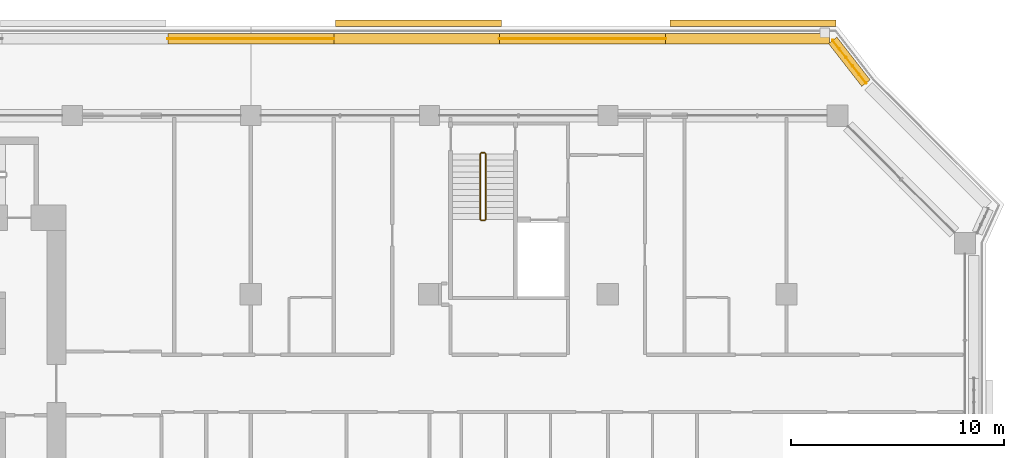
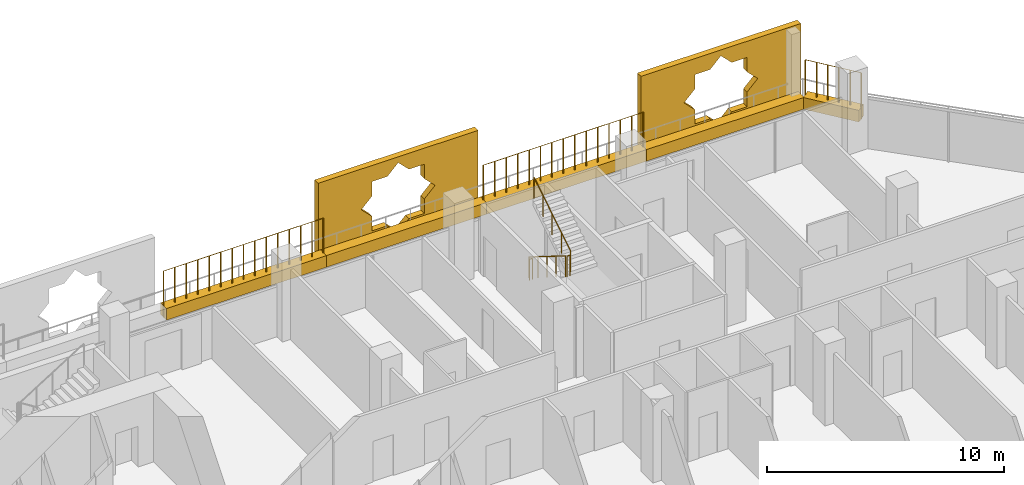
# One storey, part 22 of 23: 7 coverings, 7 railings.
"""IFC4 building model written with IfcOpenShell, lengths in metres."""

from ifc_helpers import new_model, si_unit, direction, frame, origin, origin_2d, place, context, subcontext, project, spatial, polyline, rectangle, circle, outline, extrude, material, material_profile, profile_set, type_object, element, save


model = new_model("IFC4")

# Units and contexts
model_context = context("Model", 3, precision=1e-05, world=origin(), true_north=direction((0.0, 1.0)))
body_context = subcontext(model_context, "Body", "Model", "MODEL_VIEW")
ifc_project = project(units=[si_unit("LENGTHUNIT", "METRE"), si_unit("AREAUNIT", "SQUARE_METRE"), si_unit("VOLUMEUNIT", "CUBIC_METRE"), si_unit("PLANEANGLEUNIT", "RADIAN"), si_unit("MASSUNIT", "GRAM", prefix="KILO")], contexts=[model_context])

# Site, building, storey
site_placement = place(None, origin())
site = spatial("IfcSite", under=ifc_project, at=site_placement, CompositionType="ELEMENT")
building_placement = place(site_placement, origin())
building = spatial("IfcBuilding", under=site, at=building_placement, Name="Kawkab Arch Medical Tower", CompositionType="ELEMENT")
storey_placement = place(building_placement, frame((0.0, 0.0, 175.199951171875)))
storey = spatial("IfcBuildingStorey", under=building, at=storey_placement, Name="L40", CompositionType="ELEMENT", Elevation=175.199951171875)

# Coverings
ifc_material_1 = material(Name="Bronze anodised aluminium mashrabiya panel, eight-point star pattern", Category="aluminium")
ifc_material_profile_1 = material_profile(ifc_material_1, outline(polyline([(-3.89990234375, -2.10009765625), (3.89990234375, -2.10009765625), (3.89990234375, 2.10009765625), (-3.89990234375, 2.10009765625), (-3.89990234375, -2.10009765625)]), holes=[polyline([(1.800048828125, 0.0), (1.272705078125, 0.527099609375), (1.272705078125, 1.272705078125), (0.527099609375, 1.272705078125), (0.0, 1.800048828125), (-0.527099609375, 1.272705078125), (-1.272705078125, 1.272705078125), (-1.272705078125, 0.527099609375), (-1.800048828125, 0.0), (-1.272705078125, -0.527099609375), (-1.272705078125, -1.272705078125), (-0.527099609375, -1.272705078125), (0.0, -1.800048828125), (0.527099609375, -1.272705078125), (1.272705078125, -1.272705078125), (1.272705078125, -0.527099609375), (1.800048828125, 0.0)])]), Name="Mashrabiya panel 7800x4200")
ifc_profile_set_1 = profile_set([ifc_material_profile_1], Name="Bronze anodised aluminium mashrabiya panel, eight-point star pattern")
covering_type_1 = type_object("IfcCoveringType", Name="Mashrabiya panel 7800 x 4200", PredefinedType="USERDEFINED", material=ifc_profile_set_1)
for number, where, z_axis, x_axis, name in (
    (1, (41.484375, 4.199951171875, 1.699951171875), (0.0, 1.0, 0.0), (-1.0, 0.0, 0.0), "Mashrabiya panel L40.LOG-01-01.7"),
    (2, (57.23291015625, 4.199951171875, 1.699951171875), (0.0, 1.0, 0.0), (-1.0, 0.0, 0.0), "Mashrabiya panel L40.LOG-01-01.8"),
):
    element("IfcCovering", number, at=place(storey_placement, frame(where, z_axis=z_axis, x_axis=x_axis)), inside=storey, type_object=covering_type_1, Name=name, ObjectType="SCREEN", PredefinedType="USERDEFINED", context=body_context, shape_type="SweptSolid", body=[
        extrude(outline(polyline([(-3.89990234375, -2.10009765625), (3.89990234375, -2.10009765625), (3.89990234375, 2.10009765625), (-3.89990234375, 2.10009765625), (-3.89990234375, -2.10009765625)]), holes=[polyline([(1.800048828125, 0.0), (1.272705078125, 0.527099609375), (1.272705078125, 1.272705078125), (0.527099609375, 1.272705078125), (0.0, 1.800048828125), (-0.527099609375, 1.272705078125), (-1.272705078125, 1.272705078125), (-1.272705078125, 0.527099609375), (-1.800048828125, 0.0), (-1.272705078125, -0.527099609375), (-1.272705078125, -1.272705078125), (-0.527099609375, -1.272705078125), (0.0, -1.800048828125), (0.527099609375, -1.272705078125), (1.272705078125, -1.272705078125), (1.272705078125, -0.527099609375), (1.800048828125, 0.0)])]), origin(), (0.0, 0.0, 1.0), 0.300048828125),
    ])
ifc_material_2 = material(Name="Planting soil in a precast trough", Category="concrete")
ifc_material_profile_2 = material_profile(ifc_material_2, rectangle(XDim=0.5, YDim=0.60009765625, at=origin_2d()), Name="Trough 500x600")
ifc_profile_set_2 = profile_set([ifc_material_profile_2], Name="Planting soil in a precast trough")
covering_type_2 = type_object("IfcCoveringType", Name="Planter trough 500 x 600", PredefinedType="USERDEFINED", material=ifc_profile_set_2)
covering_1_placement = place(storey_placement, frame((29.697998046875, 3.6201171875, 0.300048828125), z_axis=(1.0, 0.0, 0.0), x_axis=(0.0, 1.0, 0.0)))
element("IfcCovering", 3, at=covering_1_placement, inside=storey, type_object=covering_type_2, Name="Planter L40.LOG-01-01.21", ObjectType="PLANTER", PredefinedType="USERDEFINED", context=body_context, shape_type="SweptSolid", body=[
    extrude(rectangle(XDim=0.5, YDim=0.60009765625, at=origin_2d()), origin(), (0.0, 0.0, 1.0), 7.803955078125),
])
covering_2_placement = place(storey_placement, frame((37.501953125, 3.6201171875, 0.300048828125), z_axis=(1.0, 0.0, 0.0), x_axis=(0.0, 1.0, 0.0)))
element("IfcCovering", 4, at=covering_2_placement, inside=storey, type_object=covering_type_2, Name="Planter L40.LOG-01-01.22", ObjectType="PLANTER", PredefinedType="USERDEFINED", context=body_context, shape_type="SweptSolid", body=[
    extrude(rectangle(XDim=0.5, YDim=0.60009765625, at=origin_2d()), origin(), (0.0, 0.0, 1.0), 7.804931640625),
])
covering_3_placement = place(storey_placement, frame((45.306884765625, 3.6201171875, 0.300048828125), z_axis=(1.0, 0.0, 0.0), x_axis=(0.0, 1.0, 0.0)))
element("IfcCovering", 5, at=covering_3_placement, inside=storey, type_object=covering_type_2, Name="Planter L40.LOG-01-01.23", ObjectType="PLANTER", PredefinedType="USERDEFINED", context=body_context, shape_type="SweptSolid", body=[
    extrude(rectangle(XDim=0.5, YDim=0.60009765625, at=origin_2d()), origin(), (0.0, 0.0, 1.0), 7.80517578125),
])
covering_4_placement = place(storey_placement, frame((53.112060546875, 3.6201171875, 0.300048828125), z_axis=(1.0, 0.0, 0.0), x_axis=(0.0, 1.0, 0.0)))
element("IfcCovering", 6, at=covering_4_placement, inside=storey, type_object=covering_type_2, Name="Planter L40.LOG-01-01.24", ObjectType="PLANTER", PredefinedType="USERDEFINED", context=body_context, shape_type="SweptSolid", body=[
    extrude(rectangle(XDim=0.5, YDim=0.60009765625, at=origin_2d()), origin(), (0.0, 0.0, 1.0), 7.703857421875),
])
covering_5_placement = place(storey_placement, frame((60.97802734375, 3.541015625, 0.300048828125), z_axis=(0.61404021143, -0.789274742246, 0.0), x_axis=(0.789274742246, 0.61404021143, 0.0)))
element("IfcCovering", 7, at=covering_5_placement, inside=storey, type_object=covering_type_2, Name="Planter L40.LOG-01-01.25", ObjectType="PLANTER", PredefinedType="USERDEFINED", context=body_context, shape_type="SweptSolid", body=[
    extrude(rectangle(XDim=0.5, YDim=0.60009765625, at=origin_2d()), origin(), (0.0, 0.0, 1.0), 2.54541015625),
])

# Railings
ifc_material_3 = material(Name="Bronze anodised aluminium trellis for climbing plants", Category="aluminium")
railing_type_1 = type_object("IfcRailingType", Name="Planting trellis 2400", PredefinedType="USERDEFINED", material=ifc_material_3)
railing_1_placement = place(storey_placement, frame((29.697998046875, 3.6201171875, 0.0)))
element("IfcRailing", 8, at=railing_1_placement, inside=storey, type_object=railing_type_1, Name="Planting trellis L40.LOG-01-01.21", ObjectType="TRELLIS", PredefinedType="USERDEFINED", context=body_context, shape_type="SweptSolid", body=[
    extrude(circle(Radius=0.01513671875, at=origin_2d()), frame((0.0, 0.0, 2.384765625), z_axis=(1.0, 0.0, 0.0), x_axis=(0.0, 1.0, 0.0)), (0.0, 0.0, 1.0), 7.803955078125),
    extrude(circle(Radius=0.030029296875, at=origin_2d()), origin(), (0.0, 0.0, 1.0), 2.369873046875),
    extrude(circle(Radius=0.030029296875, at=origin_2d()), frame((0.557373046875, 0.0, 0.0)), (0.0, 0.0, 1.0), 2.369873046875),
    extrude(circle(Radius=0.030029296875, at=origin_2d()), frame((1.11474609375, 0.0, 0.0)), (0.0, 0.0, 1.0), 2.369873046875),
    extrude(circle(Radius=0.030029296875, at=origin_2d()), frame((1.67236328125, 0.0, 0.0)), (0.0, 0.0, 1.0), 2.369873046875),
    extrude(circle(Radius=0.030029296875, at=origin_2d()), frame((2.229736328125, 0.0, 0.0)), (0.0, 0.0, 1.0), 2.369873046875),
    extrude(circle(Radius=0.030029296875, at=origin_2d()), frame((2.787109375, 0.0, 0.0)), (0.0, 0.0, 1.0), 2.369873046875),
    extrude(circle(Radius=0.030029296875, at=origin_2d()), frame((3.344482421875, 0.0, 0.0)), (0.0, 0.0, 1.0), 2.369873046875),
    extrude(circle(Radius=0.030029296875, at=origin_2d()), frame((3.90185546875, 0.0, 0.0)), (0.0, 0.0, 1.0), 2.369873046875),
    extrude(circle(Radius=0.030029296875, at=origin_2d()), frame((4.45947265625, 0.0, 0.0)), (0.0, 0.0, 1.0), 2.369873046875),
    extrude(circle(Radius=0.030029296875, at=origin_2d()), frame((5.016845703125, 0.0, 0.0)), (0.0, 0.0, 1.0), 2.369873046875),
    extrude(circle(Radius=0.030029296875, at=origin_2d()), frame((5.57421875, 0.0, 0.0)), (0.0, 0.0, 1.0), 2.369873046875),
    extrude(circle(Radius=0.030029296875, at=origin_2d()), frame((6.131591796875, 0.0, 0.0)), (0.0, 0.0, 1.0), 2.369873046875),
    extrude(circle(Radius=0.030029296875, at=origin_2d()), frame((6.689208984375, 0.0, 0.0)), (0.0, 0.0, 1.0), 2.369873046875),
    extrude(circle(Radius=0.030029296875, at=origin_2d()), frame((7.24658203125, 0.0, 0.0)), (0.0, 0.0, 1.0), 2.369873046875),
    extrude(circle(Radius=0.030029296875, at=origin_2d()), frame((7.803955078125, 0.0, 0.0)), (0.0, 0.0, 1.0), 2.369873046875),
])
railing_2_placement = place(storey_placement, frame((45.306884765625, 3.6201171875, 0.0)))
element("IfcRailing", 9, at=railing_2_placement, inside=storey, type_object=railing_type_1, Name="Planting trellis L40.LOG-01-01.23", ObjectType="TRELLIS", PredefinedType="USERDEFINED", context=body_context, shape_type="SweptSolid", body=[
    extrude(circle(Radius=0.01513671875, at=origin_2d()), frame((0.0, 0.0, 2.384765625), z_axis=(1.0, 0.0, 0.0), x_axis=(0.0, 1.0, 0.0)), (0.0, 0.0, 1.0), 7.80517578125),
    extrude(circle(Radius=0.030029296875, at=origin_2d()), origin(), (0.0, 0.0, 1.0), 2.369873046875),
    extrude(circle(Radius=0.030029296875, at=origin_2d()), frame((0.5576171875, 0.0, 0.0)), (0.0, 0.0, 1.0), 2.369873046875),
    extrude(circle(Radius=0.030029296875, at=origin_2d()), frame((1.114990234375, 0.0, 0.0)), (0.0, 0.0, 1.0), 2.369873046875),
    extrude(circle(Radius=0.030029296875, at=origin_2d()), frame((1.672607421875, 0.0, 0.0)), (0.0, 0.0, 1.0), 2.369873046875),
    extrude(circle(Radius=0.030029296875, at=origin_2d()), frame((2.22998046875, 0.0, 0.0)), (0.0, 0.0, 1.0), 2.369873046875),
    extrude(circle(Radius=0.030029296875, at=origin_2d()), frame((2.78759765625, 0.0, 0.0)), (0.0, 0.0, 1.0), 2.369873046875),
    extrude(circle(Radius=0.030029296875, at=origin_2d()), frame((3.344970703125, 0.0, 0.0)), (0.0, 0.0, 1.0), 2.369873046875),
    extrude(circle(Radius=0.030029296875, at=origin_2d()), frame((3.902587890625, 0.0, 0.0)), (0.0, 0.0, 1.0), 2.369873046875),
    extrude(circle(Radius=0.030029296875, at=origin_2d()), frame((4.460205078125, 0.0, 0.0)), (0.0, 0.0, 1.0), 2.369873046875),
    extrude(circle(Radius=0.030029296875, at=origin_2d()), frame((5.017578125, 0.0, 0.0)), (0.0, 0.0, 1.0), 2.369873046875),
    extrude(circle(Radius=0.030029296875, at=origin_2d()), frame((5.5751953125, 0.0, 0.0)), (0.0, 0.0, 1.0), 2.369873046875),
    extrude(circle(Radius=0.030029296875, at=origin_2d()), frame((6.132568359375, 0.0, 0.0)), (0.0, 0.0, 1.0), 2.369873046875),
    extrude(circle(Radius=0.030029296875, at=origin_2d()), frame((6.690185546875, 0.0, 0.0)), (0.0, 0.0, 1.0), 2.369873046875),
    extrude(circle(Radius=0.030029296875, at=origin_2d()), frame((7.24755859375, 0.0, 0.0)), (0.0, 0.0, 1.0), 2.369873046875),
    extrude(circle(Radius=0.030029296875, at=origin_2d()), frame((7.80517578125, 0.0, 0.0)), (0.0, 0.0, 1.0), 2.369873046875),
])
railing_3_placement = place(storey_placement, frame((60.97802734375, 3.541015625, 0.0)))
element("IfcRailing", 10, at=railing_3_placement, inside=storey, type_object=railing_type_1, Name="Planting trellis L40.LOG-01-01.25", ObjectType="TRELLIS", PredefinedType="USERDEFINED", context=body_context, shape_type="SweptSolid", body=[
    extrude(circle(Radius=0.01513671875, at=origin_2d()), frame((0.0, 0.0, 2.384765625), z_axis=(0.61404021143, -0.789274742246, 0.0), x_axis=(0.789274742246, 0.61404021143, 0.0)), (0.0, 0.0, 1.0), 2.54541015625),
    extrude(circle(Radius=0.030029296875, at=origin_2d()), origin(), (0.0, 0.0, 1.0), 2.369873046875),
    extrude(circle(Radius=0.030029296875, at=origin_2d()), frame((0.3125, -0.40185546875, 0.0)), (0.0, 0.0, 1.0), 2.369873046875),
    extrude(circle(Radius=0.030029296875, at=origin_2d()), frame((0.625244140625, -0.8037109375, 0.0)), (0.0, 0.0, 1.0), 2.369873046875),
    extrude(circle(Radius=0.030029296875, at=origin_2d()), frame((0.937744140625, -1.205322265625, 0.0)), (0.0, 0.0, 1.0), 2.369873046875),
    extrude(circle(Radius=0.030029296875, at=origin_2d()), frame((1.25048828125, -1.607177734375, 0.0)), (0.0, 0.0, 1.0), 2.369873046875),
    extrude(circle(Radius=0.030029296875, at=origin_2d()), frame((1.56298828125, -2.009033203125, 0.0)), (0.0, 0.0, 1.0), 2.369873046875),
])
ifc_material_4 = material(Name="Stainless steel", Category="steel")
railing_type_2 = type_object("IfcRailingType", Name="Stair guard 1100", PredefinedType="GUARDRAIL", material=ifc_material_4)
railing_4_placement = place(storey_placement, frame((44.39990234375, -1.800048828125, 0.175048828125)))
element("IfcRailing", 11, at=railing_4_placement, inside=storey, type_object=railing_type_2, Name="L40 ST5 stair guard 1", PredefinedType="GUARDRAIL", context=body_context, shape_type="SweptSolid", body=[
    extrude(circle(Radius=0.02392578125, at=origin_2d()), frame((0.0, 0.0, 1.076171875), z_axis=(0.0, -0.847979421464, 0.530029150871), x_axis=(1.0, 0.0, 0.0)), (0.0, 0.0, 1.0), 3.632080078125),
    extrude(circle(Radius=0.02099609375, at=origin_2d()), origin(), (0.0, 0.0, 1.0), 1.052001953125),
    extrude(circle(Radius=0.02099609375, at=origin_2d()), frame((0.0, -0.77001953125, 0.481201171875)), (0.0, 0.0, 1.0), 1.052001953125),
    extrude(circle(Radius=0.02099609375, at=origin_2d()), frame((0.0, -1.5400390625, 0.96240234375)), (0.0, 0.0, 1.0), 1.052001953125),
    extrude(circle(Radius=0.02099609375, at=origin_2d()), frame((0.0, -2.309814453125, 1.44384765625)), (0.0, 0.0, 1.0), 1.052001953125),
    extrude(circle(Radius=0.02099609375, at=origin_2d()), frame((0.0, -3.079833984375, 1.925048828125)), (0.0, 0.0, 1.0), 1.052001953125),
])
railing_5_placement = place(storey_placement, frame((44.449951171875, -4.929931640625, 2.10009765625)))
element("IfcRailing", 12, at=railing_5_placement, inside=storey, type_object=railing_type_2, Name="L40 ST5 stair guard 2", PredefinedType="GUARDRAIL", context=body_context, shape_type="SweptSolid", body=[
    extrude(circle(Radius=0.02392578125, at=origin_2d()), frame((0.0, 0.0, 1.076171875), z_axis=(1.0, 0.0, 0.0), x_axis=(0.0, 1.0, 0.0)), (0.0, 0.0, 1.0), 0.150146484375),
    extrude(circle(Radius=0.02099609375, at=origin_2d()), origin(), (0.0, 0.0, 1.0), 1.052001953125),
    extrude(circle(Radius=0.02099609375, at=origin_2d()), frame((0.150146484375, 0.0, 0.0)), (0.0, 0.0, 1.0), 1.052001953125),
])
railing_6_placement = place(storey_placement, frame((44.64990234375, -4.8798828125, 2.275146484375)))
element("IfcRailing", 13, at=railing_6_placement, inside=storey, type_object=railing_type_2, Name="L40 ST5 stair guard 3", PredefinedType="GUARDRAIL", context=body_context, shape_type="SweptSolid", body=[
    extrude(circle(Radius=0.02392578125, at=origin_2d()), frame((0.0, 0.0, 1.076171875), z_axis=(0.0, 0.848009633417, 0.529980812513), x_axis=(-1.0, 0.0, 0.0)), (0.0, 0.0, 1.0), 3.6318359375),
    extrude(circle(Radius=0.02099609375, at=origin_2d()), origin(), (0.0, 0.0, 1.0), 1.052001953125),
    extrude(circle(Radius=0.02099609375, at=origin_2d()), frame((0.0, 0.77001953125, 0.481201171875)), (0.0, 0.0, 1.0), 1.052001953125),
    extrude(circle(Radius=0.02099609375, at=origin_2d()), frame((0.0, 1.5400390625, 0.96240234375)), (0.0, 0.0, 1.0), 1.052001953125),
    extrude(circle(Radius=0.02099609375, at=origin_2d()), frame((0.0, 2.309814453125, 1.443603515625)), (0.0, 0.0, 1.0), 1.052001953125),
    extrude(circle(Radius=0.02099609375, at=origin_2d()), frame((0.0, 3.079833984375, 1.9248046875)), (0.0, 0.0, 1.0), 1.052001953125),
])
railing_7_placement = place(storey_placement, frame((44.449951171875, -1.75, 0.0)))
element("IfcRailing", 14, at=railing_7_placement, inside=storey, type_object=railing_type_2, Name="L40 ST5 stair guard 4", PredefinedType="GUARDRAIL", context=body_context, shape_type="SweptSolid", body=[
    extrude(circle(Radius=0.02392578125, at=origin_2d()), frame((0.0, 0.0, 1.076171875), z_axis=(1.0, 0.0, 0.0), x_axis=(0.0, 1.0, 0.0)), (0.0, 0.0, 1.0), 0.150146484375),
    extrude(circle(Radius=0.02099609375, at=origin_2d()), origin(), (0.0, 0.0, 1.0), 1.052001953125),
    extrude(circle(Radius=0.02099609375, at=origin_2d()), frame((0.150146484375, 0.0, 0.0)), (0.0, 0.0, 1.0), 1.052001953125),
])

save(model, "model.ifc")
